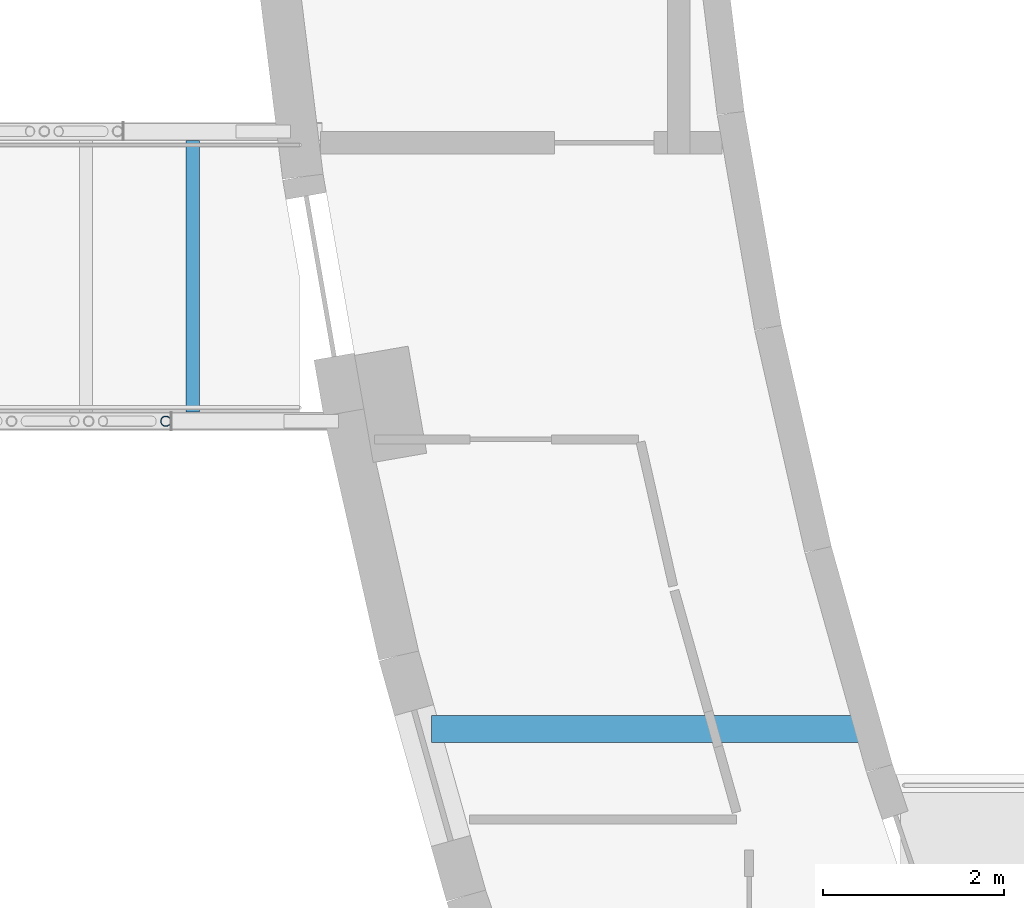
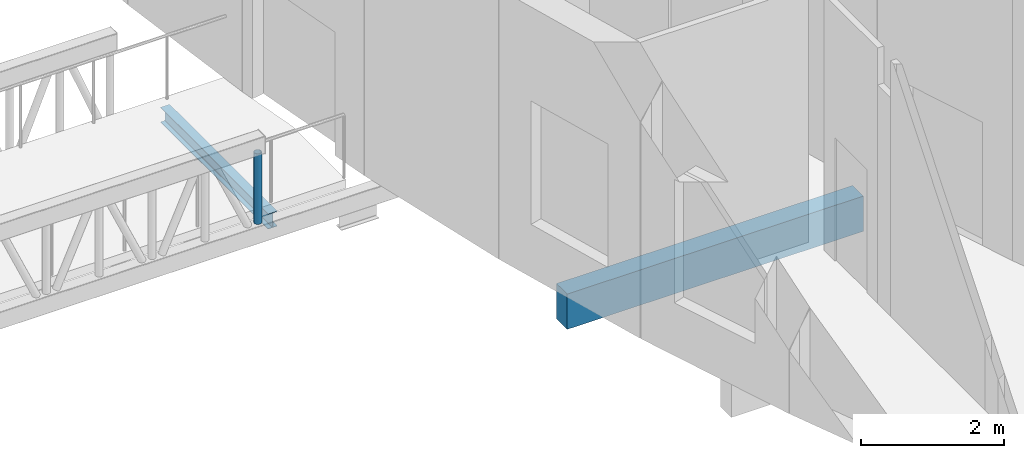
# One storey, part 11 of 56: 2 beams, 1 member.
"""IFC4 building model written with IfcOpenShell, lengths in metres."""

import ifcopenshell
import ifcopenshell.guid

model = None  # the IFC model being written
_history = None  # IfcOwnerHistory: only IFC2X3 demands one
_inside = {}  # id of a spatial element -> (the spatial element, [elements in it])
_under = {}  # id of a project, library or spatial element -> (it, [spatial elements below it])
_declared = {}  # id of a project -> (the project, [libraries it declares])
_typed = {}  # id of a type object -> (the type object, [elements of that type])
_made_of = {}  # id of a material, layer set ... -> (it, [elements and type objects made of it])


def new_model(schema):
    """Start an empty IFC model of exactly this schema.

    Asked for "IFC4X3", IfcOpenShell would pick the latest addendum, in which some entities
    have other attributes; the version numbers below select the first issue.
    IFC2X3 requires an IfcOwnerHistory on every rooted entity: one is made here for all.
    """
    global model, _history
    if schema == "IFC4X3":
        model = ifcopenshell.file(schema_version=(4, 3, 0, 0))
    else:
        model = ifcopenshell.file(schema=schema)
    _inside.clear()
    _under.clear()
    _declared.clear()
    _typed.clear()
    _made_of.clear()
    _history = None
    if model.schema == "IFC2X3":
        org = make("IfcOrganization", Name="unknown")
        user = make(
            "IfcPersonAndOrganization",
            ThePerson=make("IfcPerson", FamilyName="unknown"),
            TheOrganization=org,
        )
        app = make(
            "IfcApplication",
            ApplicationDeveloper=org,
            Version="unknown",
            ApplicationFullName="unknown",
            ApplicationIdentifier="unknown",
        )
        _history = make(
            "IfcOwnerHistory",
            OwningUser=user,
            OwningApplication=app,
            ChangeAction="ADDED",
            CreationDate=0,
        )
    return model


def make(cls, **values):
    """One entity of the class cls with the attributes given. An attribute that is None is left unset."""
    return model.create_entity(
        cls, **{name: value for name, value in values.items() if value is not None}
    )


def rooted(cls, **values):
    """An entity with a GlobalId (a new one), such as an element, a storey or a relation."""
    return make(cls, GlobalId=ifcopenshell.guid.new(), OwnerHistory=_history, **values)


def si_unit(unit_type, name, prefix=None):
    """IfcSIUnit, for example si_unit("LENGTHUNIT", "METRE", prefix="MILLI")."""
    return make("IfcSIUnit", UnitType=unit_type, Prefix=prefix, Name=name)


def assignment(units):
    """IfcUnitAssignment: the units of a project."""
    return None if units is None else make("IfcUnitAssignment", Units=units)


def point(xyz):
    """IfcCartesianPoint."""
    return None if xyz is None else make("IfcCartesianPoint", Coordinates=xyz)


def direction(xyz):
    """IfcDirection."""
    return None if xyz is None else make("IfcDirection", DirectionRatios=xyz)


def frame(location, z_axis=None, x_axis=None):
    """IfcAxis2Placement3D, a coordinate frame: its origin and axes. An axis left out is left unset."""
    return make(
        "IfcAxis2Placement3D",
        Location=point(location),
        Axis=direction(z_axis),
        RefDirection=direction(x_axis),
    )


def frame_2d(location, x_axis=None):
    """IfcAxis2Placement2D, a coordinate frame in the plane: its origin and x axis."""
    return make(
        "IfcAxis2Placement2D", Location=point(location), RefDirection=direction(x_axis)
    )


def origin():
    """The frame at (0, 0, 0) with its axes left unset."""
    return frame((0.0, 0.0, 0.0))


def origin_2d():
    """The frame at (0, 0) in the plane with its x axis left unset."""
    return frame_2d((0.0, 0.0))


def place(relative_to, where):
    """IfcLocalPlacement: puts the frame where relative to a parent placement (None: the world)."""
    return make(
        "IfcLocalPlacement", PlacementRelTo=relative_to, RelativePlacement=where
    )


def context(
    kind, dimensions, precision=None, world=None, true_north=None, identifier=None
):
    """IfcGeometricRepresentationContext, for example the 3D "Model" context."""
    return make(
        "IfcGeometricRepresentationContext",
        ContextIdentifier=identifier,
        ContextType=kind,
        CoordinateSpaceDimension=dimensions,
        Precision=precision,
        WorldCoordinateSystem=world,
        TrueNorth=true_north,
    )


def subcontext(parent, identifier, kind, view, scale=None):
    """IfcGeometricRepresentationSubContext, for example "Body" below "Model"."""
    return make(
        "IfcGeometricRepresentationSubContext",
        ContextIdentifier=identifier,
        ContextType=kind,
        ParentContext=parent,
        TargetScale=scale,
        TargetView=view,
    )


def project(units=None, contexts=None):
    """IfcProject with its units and contexts."""
    return rooted(
        "IfcProject",
        Name="project",
        RepresentationContexts=contexts,
        UnitsInContext=assignment(units),
    )


def spatial(cls, under=None, at=None, **own):
    """A site, building, storey or space (cls), placed at a placement, below another one or the project."""
    s = rooted(cls, ObjectPlacement=at, **own)
    if under is not None:
        _under.setdefault(under.id(), (under, []))[1].append(s)
    return s


def profile(cls, at=None, kind="AREA", **sizes):
    """A parametric profile (cls). Its sizes go by their IFC names, for example OverallWidth=200.0."""
    return make(cls, ProfileType=kind, Position=at, **sizes)


def rectangle(**sizes):
    """IfcRectangleProfileDef."""
    return profile("IfcRectangleProfileDef", **sizes)


def hollow_circle(**sizes):
    """IfcCircleHollowProfileDef."""
    return profile("IfcCircleHollowProfileDef", **sizes)


def i_section(**sizes):
    """IfcIShapeProfileDef."""
    return profile("IfcIShapeProfileDef", **sizes)


def extrude(swept, where, along, depth):
    """IfcExtrudedAreaSolid: the profile swept, set in the frame where, extruded along a direction by depth."""
    return make(
        "IfcExtrudedAreaSolid",
        SweptArea=swept,
        Position=where,
        ExtrudedDirection=direction(along),
        Depth=depth,
    )


def shape(context_of_items, identifier, shape_type, items):
    """IfcShapeRepresentation: the items that make up one representation, for example the "Body"."""
    return make(
        "IfcShapeRepresentation",
        ContextOfItems=context_of_items,
        RepresentationIdentifier=identifier,
        RepresentationType=shape_type,
        Items=items,
    )


def material(Name=None, Category=None):
    """IfcMaterial."""
    return make("IfcMaterial", Name=Name, Category=Category)


def material_profile(
    of_material, cross_section, Name=None, Category=None, Priority=None
):
    """IfcMaterialProfile: a cross section and its material."""
    return make(
        "IfcMaterialProfile",
        Name=Name,
        Material=of_material,
        Profile=cross_section,
        Priority=Priority,
        Category=Category,
    )


def profile_set(profiles, Name=None, composite=None):
    """IfcMaterialProfileSet."""
    return make(
        "IfcMaterialProfileSet",
        Name=Name,
        MaterialProfiles=profiles,
        CompositeProfile=composite,
    )


def made_of(thing, what):
    """Note that an element or type object is made of a material, layer set ...; save() writes the relation."""
    if what is not None:
        _made_of.setdefault(what.id(), (what, []))[1].append(thing)
    return thing


def type_object(cls, material=None, **own):
    """A type object (cls), such as IfcWallType, which elements share."""
    return made_of(rooted(cls, **own), material)


def element(
    cls,
    number,
    at=None,
    inside=None,
    cuts=None,
    type_object=None,
    material=None,
    context=None,
    identifier="Body",
    shape_type=None,
    held_by="IfcProductDefinitionShape",
    body=None,
    shapes=None,
    **own,
):
    """One element of the class cls, such as IfcWall. Its Tag is "e" and its number.

    at: its placement. inside: the storey or other place that contains it. cuts: it is an
    opening in that element (IfcRelVoidsElement). A single representation is given by context,
    identifier, shape_type and body (its items); several are given by shapes. held_by: the class
    of the entity that holds the representations. save() writes the other relations.
    """
    e = rooted(cls, Tag="e%d" % number, ObjectPlacement=at, **own)
    if body is not None:
        shapes = [shape(context, identifier, shape_type, body)]
    if shapes is not None:
        e.Representation = make(held_by, Representations=shapes)
    if inside is not None:
        _inside.setdefault(inside.id(), (inside, []))[1].append(e)
    if cuts is not None:
        rooted(
            "IfcRelVoidsElement", RelatingBuildingElement=cuts, RelatedOpeningElement=e
        )
    if type_object is not None:
        _typed.setdefault(type_object.id(), (type_object, []))[1].append(e)
    return made_of(e, material)


def aggregate(whole, parts):
    """IfcRelAggregates: a whole, such as a stair, and the parts it consists of."""
    return rooted("IfcRelAggregates", RelatingObject=whole, RelatedObjects=parts)


def save(model, path):
    """Write the relations noted so far, then the file.

    IfcRelAggregates (storeys below a building ...), IfcRelContainedInSpatialStructure (elements
    in a storey), IfcRelDefinesByType, IfcRelAssociatesMaterial and IfcRelDeclares: one each for
    every whole, place, type object, material and project.
    """
    for whole, parts in _under.values():
        aggregate(whole, parts)
    for where, things in _inside.values():
        rooted(
            "IfcRelContainedInSpatialStructure",
            RelatedElements=things,
            RelatingStructure=where,
        )
    for kind, things in _typed.values():
        rooted("IfcRelDefinesByType", RelatedObjects=things, RelatingType=kind)
    for what, things in _made_of.values():
        rooted("IfcRelAssociatesMaterial", RelatedObjects=things, RelatingMaterial=what)
    for by, libraries in _declared.values():
        rooted("IfcRelDeclares", RelatingContext=by, RelatedDefinitions=libraries)
    model.write(path)


model = new_model("IFC4")

# Units and contexts
model_context = context("Model", 3, precision=1e-05, world=origin(), true_north=direction((0.0, 1.0)))
body_context = subcontext(model_context, "Body", "Model", "MODEL_VIEW")
ifc_project = project(units=[si_unit("LENGTHUNIT", "METRE"), si_unit("AREAUNIT", "SQUARE_METRE"), si_unit("VOLUMEUNIT", "CUBIC_METRE"), si_unit("PLANEANGLEUNIT", "RADIAN"), si_unit("MASSUNIT", "GRAM", prefix="KILO")], contexts=[model_context])

# Site, building, storey
site_placement = place(None, origin())
site = spatial("IfcSite", under=ifc_project, at=site_placement, CompositionType="ELEMENT")
building_placement = place(site_placement, origin())
building = spatial("IfcBuilding", under=site, at=building_placement, Name="Tide Square Theatres", CompositionType="ELEMENT")
storey_placement = place(building_placement, frame((0.0, 0.0, 10.199951171875)))
storey = spatial("IfcBuildingStorey", under=building, at=storey_placement, Name="L02", CompositionType="ELEMENT", Elevation=10.199951171875)

# Beams
ifc_material_1 = material(Name="Concrete C35", Category="concrete")
ifc_material_profile_1 = material_profile(ifc_material_1, rectangle(XDim=0.300048828125, YDim=0.60009765625, at=origin_2d()))
ifc_profile_set_1 = profile_set([ifc_material_profile_1], Name="Concrete C35")
beam_type_1 = type_object("IfcBeamType", Name="RC beam 300 x 600", PredefinedType="BEAM", material=ifc_profile_set_1)
beam_1_placement = place(storey_placement, frame((64.8935546875, 41.0, -0.550048828125), z_axis=(1.0, 0.0, 0.0), x_axis=(0.0, 1.0, 0.0)))
element("IfcBeam", 1, at=beam_1_placement, inside=storey, type_object=beam_type_1, Name="Floor beam", PredefinedType="BEAM", context=body_context, shape_type="SweptSolid", body=[
    extrude(rectangle(XDim=0.300048828125, YDim=0.60009765625, at=origin_2d()), origin(), (0.0, 0.0, 1.0), 4.769775390625),
])
ifc_material_2 = material(Name="Steel ASTM A572 Grade 50", Category="steel")
ifc_material_profile_2 = material_profile(ifc_material_2, i_section(OverallWidth=0.14599609375, OverallDepth=0.258056640625, WebThickness=0.006103515625, FlangeThickness=0.009033203125, FilletRadius=0.010009765625, at=origin_2d()))
ifc_profile_set_2 = profile_set([ifc_material_profile_2], Name="Steel ASTM A572 Grade 50")
beam_type_2 = type_object("IfcBeamType", Name="Steel beam W 250 x 32.7", PredefinedType="BEAM", material=ifc_profile_set_2)
beam_2_placement = place(storey_placement, frame((62.2578125, 44.5, -0.280029296875), z_axis=(0.0, 1.0, 0.0), x_axis=(-1.0, 0.0, 0.0)))
element("IfcBeam", 2, at=beam_2_placement, inside=storey, type_object=beam_type_2, Name="Bridge BR-W2 cross beam", PredefinedType="BEAM", context=body_context, shape_type="SweptSolid", body=[
    extrude(i_section(OverallWidth=0.14599609375, OverallDepth=0.258056640625, WebThickness=0.006103515625, FlangeThickness=0.009033203125, FilletRadius=0.010009765625, at=origin_2d()), origin(), (0.0, 0.0, 1.0), 3.0),
])

# Member
ifc_material_3 = material(Name="Steel ASTM A500 Grade C", Category="steel")
ifc_material_profile_3 = material_profile(ifc_material_3, hollow_circle(Radius=0.05712890625, WallThickness=0.00634765625, at=origin_2d()))
ifc_profile_set_3 = profile_set([ifc_material_profile_3], Name="Steel ASTM A500 Grade C")
member_type = type_object("IfcMemberType", Name="Steel strut CHS 114.3 x 6.4", PredefinedType="STRUT", material=ifc_profile_set_3)
member_placement = place(storey_placement, frame((61.959716796875, 44.39990234375, -0.14990234375), z_axis=(0.0, 0.0, 1.0), x_axis=(1.0, 0.0, 0.0)))
element("IfcMember", 3, at=member_placement, inside=storey, type_object=member_type, Name="Bridge BR-W2 post", PredefinedType="STRUT", context=body_context, shape_type="SweptSolid", body=[
    extrude(hollow_circle(Radius=0.05712890625, WallThickness=0.00634765625, at=origin_2d()), origin(), (0.0, 0.0, 1.0), 1.199951171875),
])

save(model, "model.ifc")
